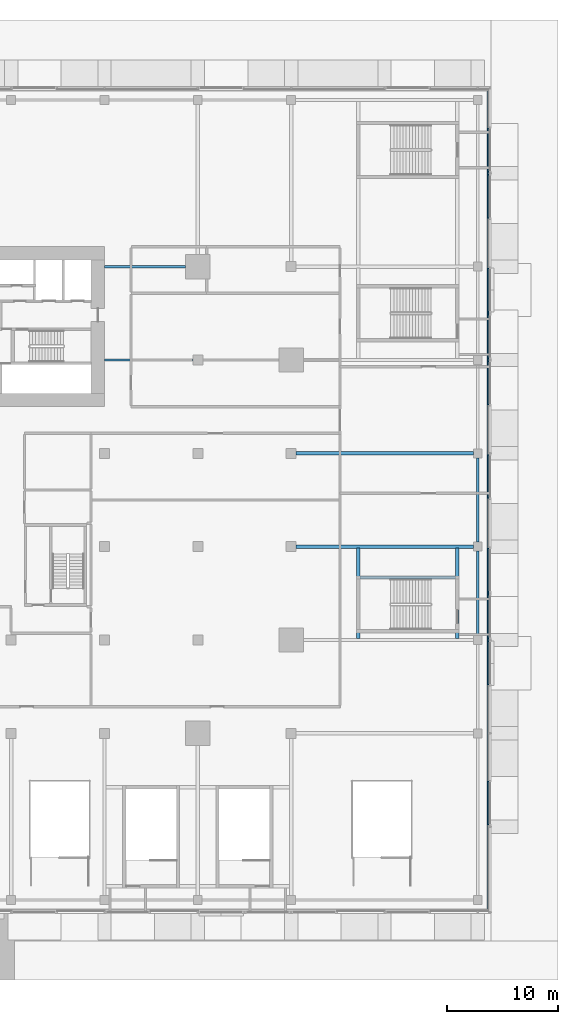
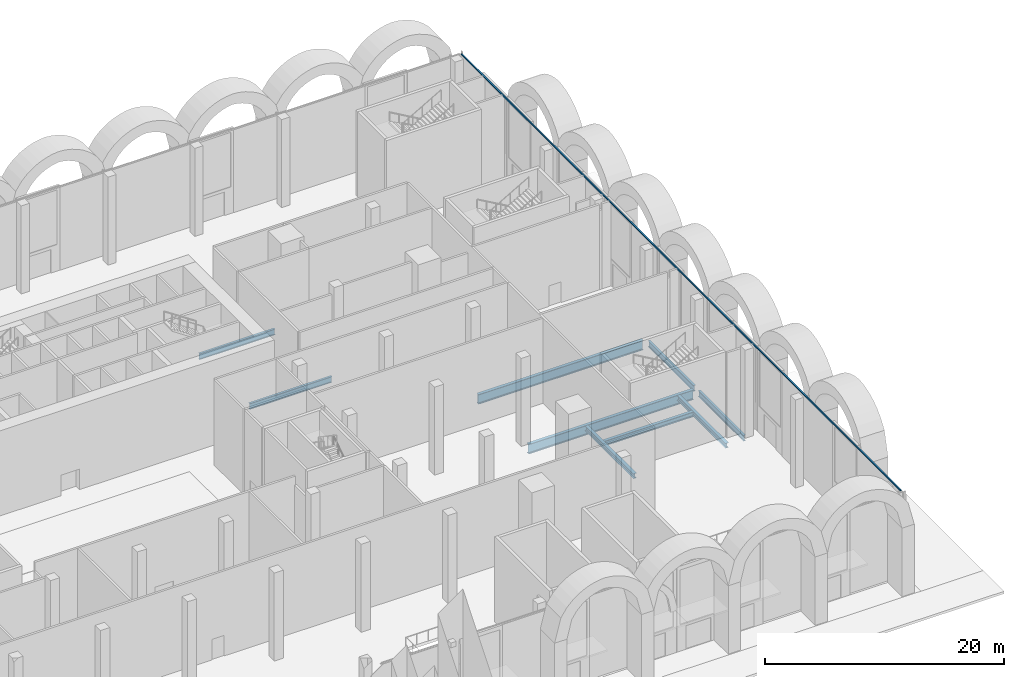
# One storey, part 10 of 43: 9 beams, 1 member, 1 element without a shape of its own.
"""IFC4 building model written with IfcOpenShell, lengths in metres."""

from ifc_helpers import new_model, si_unit, direction, frame, origin, origin_2d, place, context, subcontext, project, spatial, rectangle, i_section, extrude, material, material_profile, profile_set, type_object, element, aggregate, save


model = new_model("IFC4")

# Units and contexts
model_context = context("Model", 3, precision=1e-05, world=origin(), true_north=direction((0.0, 1.0)))
body_context = subcontext(model_context, "Body", "Model", "MODEL_VIEW")
ifc_project = project(units=[si_unit("LENGTHUNIT", "METRE"), si_unit("AREAUNIT", "SQUARE_METRE"), si_unit("VOLUMEUNIT", "CUBIC_METRE"), si_unit("PLANEANGLEUNIT", "RADIAN"), si_unit("MASSUNIT", "GRAM", prefix="KILO")], contexts=[model_context])

# Site, building, storey
site_placement = place(None, origin())
site = spatial("IfcSite", under=ifc_project, at=site_placement, CompositionType="ELEMENT")
building_placement = place(site_placement, origin())
building = spatial("IfcBuilding", under=site, at=building_placement, Name="Saffron Gate Tower", CompositionType="ELEMENT")
storey_placement = place(building_placement, origin())
storey = spatial("IfcBuildingStorey", under=building, at=storey_placement, Name="L00", CompositionType="ELEMENT", Elevation=0.0)

# Beams
ifc_material_1 = material(Name="Structural steel S355", Category="steel")
ifc_material_profile_1 = material_profile(ifc_material_1, i_section(OverallWidth=0.219970703125, OverallDepth=0.60009765625, WebThickness=0.011962890625, FlangeThickness=0.01904296875, FilletRadius=0.02392578125, at=origin_2d()))
ifc_profile_set_1 = profile_set([ifc_material_profile_1], Name="Structural steel S355")
beam_type_1 = type_object("IfcBeamType", Name="B15 IPE 600", PredefinedType="BEAM", material=ifc_profile_set_1)
beam_1_placement = place(storey_placement, frame((116.550048828125, 65.39990234375, -0.60009765625), z_axis=(-1.0, 0.0, 0.0), x_axis=(0.0, -1.0, 0.0)))
element("IfcBeam", 1, at=beam_1_placement, inside=storey, type_object=beam_type_1, Name="B15 CORE TIE BEAM", PredefinedType="BEAM", context=body_context, shape_type="SweptSolid", body=[
    extrude(i_section(OverallWidth=0.219970703125, OverallDepth=0.60009765625, WebThickness=0.011962890625, FlangeThickness=0.01904296875, FilletRadius=0.02392578125, at=origin_2d()), origin(), (0.0, 0.0, 1.0), 7.949951171875),
])
beam_2_placement = place(storey_placement, frame((115.89990234375, 73.800048828125, -0.60009765625), z_axis=(-1.0, 0.0, 0.0), x_axis=(0.0, -1.0, 0.0)))
element("IfcBeam", 2, at=beam_2_placement, inside=storey, type_object=beam_type_1, Name="B15 CORE TIE BEAM", PredefinedType="BEAM", context=body_context, shape_type="SweptSolid", body=[
    extrude(i_section(OverallWidth=0.219970703125, OverallDepth=0.60009765625, WebThickness=0.011962890625, FlangeThickness=0.01904296875, FilletRadius=0.02392578125, at=origin_2d()), origin(), (0.0, 0.0, 1.0), 7.2998046875),
])
beam_3_placement = place(storey_placement, frame((142.199951171875, 40.60009765625, -0.60009765625), z_axis=(0.0, 1.0, 0.0), x_axis=(-1.0, 0.0, 0.0)))
element("IfcBeam", 3, at=beam_3_placement, inside=storey, type_object=beam_type_1, Name="B15 PODIUM EDGE BEAM", PredefinedType="BEAM", context=body_context, shape_type="SweptSolid", body=[
    extrude(i_section(OverallWidth=0.219970703125, OverallDepth=0.60009765625, WebThickness=0.011962890625, FlangeThickness=0.01904296875, FilletRadius=0.02392578125, at=origin_2d()), origin(), (0.0, 0.0, 1.0), 7.599853515625),
])
beam_4_placement = place(storey_placement, frame((142.199951171875, 49.0, -0.60009765625), z_axis=(0.0, 1.0, 0.0), x_axis=(-1.0, 0.0, 0.0)))
element("IfcBeam", 4, at=beam_4_placement, inside=storey, type_object=beam_type_1, Name="B15 PODIUM EDGE BEAM", PredefinedType="BEAM", context=body_context, shape_type="SweptSolid", body=[
    extrude(i_section(OverallWidth=0.219970703125, OverallDepth=0.60009765625, WebThickness=0.011962890625, FlangeThickness=0.01904296875, FilletRadius=0.02392578125, at=origin_2d()), origin(), (0.0, 0.0, 1.0), 7.60009765625),
])
ifc_material_profile_2 = material_profile(ifc_material_1, i_section(OverallWidth=0.300048828125, OverallDepth=0.989990234375, WebThickness=0.0166015625, FlangeThickness=0.031005859375, FilletRadius=0.030029296875, at=origin_2d()))
ifc_profile_set_2 = profile_set([ifc_material_profile_2], Name="Structural steel S355")
beam_type_2 = type_object("IfcBeamType", Name="B21 HEA 1000", PredefinedType="BEAM", material=ifc_profile_set_2)
for number, where, z_axis, x_axis, name in (
    (5, (141.800048828125, 48.60009765625, -0.794921875), (-1.0, 0.0, 0.0), (0.0, -1.0, 0.0), "B21 PODIUM RING GIRDER"),
    (6, (141.800048828125, 57.0, -0.794921875), (-1.0, 0.0, 0.0), (0.0, -1.0, 0.0), "B21 PODIUM RING GIRDER"),
):
    element("IfcBeam", number, at=place(storey_placement, frame(where, z_axis=z_axis, x_axis=x_axis)), inside=storey, type_object=beam_type_2, Name=name, PredefinedType="BEAM", context=body_context, shape_type="SweptSolid", body=[
        extrude(i_section(OverallWidth=0.300048828125, OverallDepth=0.989990234375, WebThickness=0.0166015625, FlangeThickness=0.031005859375, FilletRadius=0.030029296875, at=origin_2d()), origin(), (0.0, 0.0, 1.0), 15.949951171875),
    ])
ifc_material_profile_3 = material_profile(ifc_material_1, i_section(OverallWidth=0.300048828125, OverallDepth=0.5, WebThickness=0.014404296875, FlangeThickness=0.028076171875, FilletRadius=0.027099609375, at=origin_2d()))
ifc_profile_set_3 = profile_set([ifc_material_profile_3], Name="Structural steel S355")
beam_type_3 = type_object("IfcBeamType", Name="B9 HEB 500", PredefinedType="BEAM", material=ifc_profile_set_3)
for number, where, z_axis, x_axis, name in (
    (7, (131.449951171875, 40.340087890625, -0.550048828125), (0.0, 1.0, 0.0), (-1.0, 0.0, 0.0), "B9 STAIR ENCLOSURE HEADER BEAM"),
    (8, (140.35009765625, 40.340087890625, -0.550048828125), (0.0, 1.0, 0.0), (-1.0, 0.0, 0.0), "B9 STAIR ENCLOSURE HEADER BEAM"),
):
    element("IfcBeam", number, at=place(storey_placement, frame(where, z_axis=z_axis, x_axis=x_axis)), inside=storey, type_object=beam_type_3, Name=name, PredefinedType="BEAM", context=body_context, shape_type="SweptSolid", body=[
        extrude(i_section(OverallWidth=0.300048828125, OverallDepth=0.5, WebThickness=0.014404296875, FlangeThickness=0.028076171875, FilletRadius=0.027099609375, at=origin_2d()), origin(), (0.0, 0.0, 1.0), 8.119873046875),
    ])
beam_5_placement = place(storey_placement, frame((131.590087890625, 45.824951171875, -0.550048828125), z_axis=(1.0, 0.0, 0.0), x_axis=(0.0, 1.0, 0.0)))
element("IfcBeam", 9, at=beam_5_placement, inside=storey, type_object=beam_type_3, Name="B9 STAIR ENCLOSURE TRIMMER BEAM", PredefinedType="BEAM", context=body_context, shape_type="SweptSolid", body=[
    extrude(i_section(OverallWidth=0.300048828125, OverallDepth=0.5, WebThickness=0.014404296875, FlangeThickness=0.028076171875, FilletRadius=0.027099609375, at=origin_2d()), origin(), (0.0, 0.0, 1.0), 8.619873046875),
])

# Curtain wall, member
ifc_material_2 = material(Name="Aluminium, bronze anodised", Category="aluminium")
curtain_wall_type = type_object("IfcCurtainWallType", Name="CWS5 curtain wall podium ring base", PredefinedType="NOTDEFINED", material=ifc_material_2)
curtain_wall_placement = place(storey_placement, origin())
curtain_wall = element("IfcCurtainWall", 10, at=curtain_wall_placement, inside=storey, type_object=curtain_wall_type, Name="CWS5 run 2", PredefinedType="NOTDEFINED")
ifc_material_profile_4 = material_profile(ifc_material_2, rectangle(XDim=0.1201171875, YDim=0.1201171875, at=origin_2d()))
ifc_profile_set_4 = profile_set([ifc_material_profile_4], Name="Aluminium, bronze anodised")
member_type = type_object("IfcMemberType", Name="CWS5 head transom", PredefinedType="USERDEFINED", material=ifc_profile_set_4)
member_placement = place(storey_placement, frame((143.112060546875, 16.008056640625, 8.639892578125), z_axis=(0.0, 1.0, 0.0), x_axis=(-1.0, 0.0, 0.0)))
member = element("IfcMember", 11, at=member_placement, type_object=member_type, Name="CWS5 head transom", ObjectType="TRANSOM", PredefinedType="USERDEFINED", context=body_context, shape_type="SweptSolid", body=[
    extrude(rectangle(XDim=0.1201171875, YDim=0.1201171875, at=origin_2d()), origin(), (0.0, 0.0, 1.0), 73.583984375),
])
aggregate(curtain_wall, [member])

save(model, "model.ifc")
